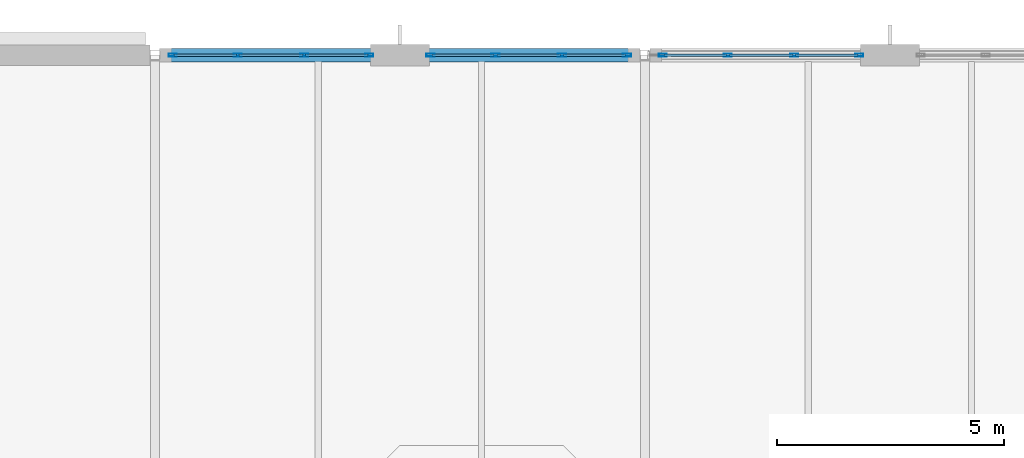
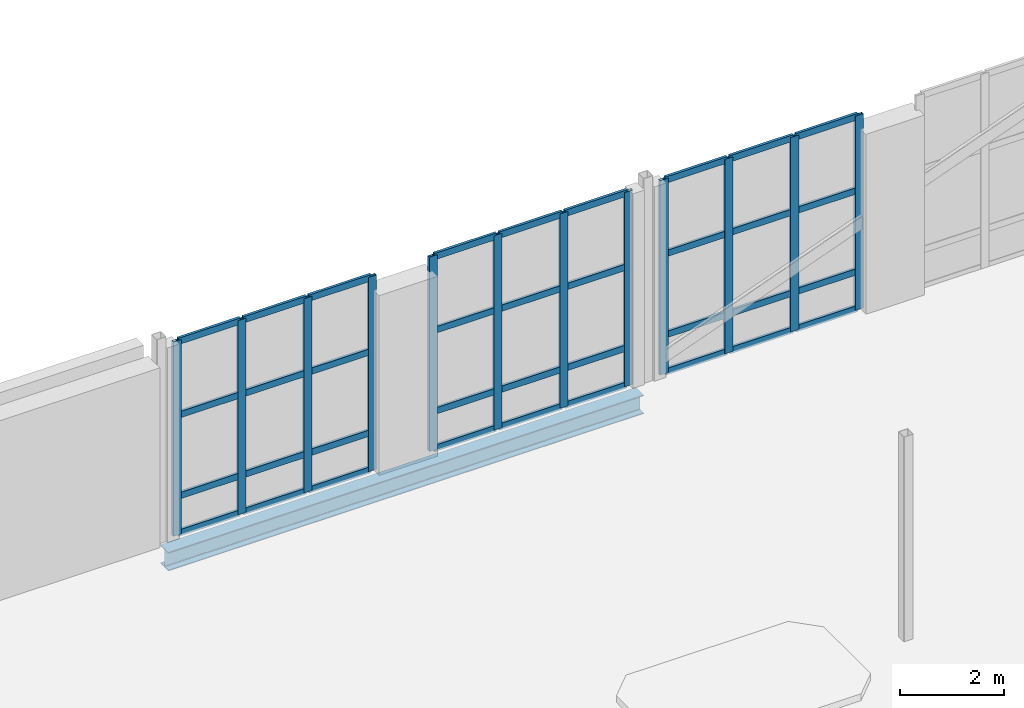
# One storey, part 46 of 86: 48 members, 1 beam, 3 elements without a shape of their own.
"""IFC4 building model written with IfcOpenShell, lengths in metres."""

from ifc_helpers import new_model, si_unit, direction, frame, origin, origin_2d, place, context, subcontext, project, spatial, hollow_rectangle, i_section, extrude, material, layer, layer_set, material_profile, profile_set, type_object, element, aggregate, save


model = new_model("IFC4")

# Units and contexts
model_context = context("Model", 3, precision=1e-05, world=origin(), true_north=direction((0.0, 1.0)))
body_context = subcontext(model_context, "Body", "Model", "MODEL_VIEW")
ifc_project = project(units=[si_unit("LENGTHUNIT", "METRE"), si_unit("AREAUNIT", "SQUARE_METRE"), si_unit("VOLUMEUNIT", "CUBIC_METRE"), si_unit("PLANEANGLEUNIT", "RADIAN"), si_unit("MASSUNIT", "GRAM", prefix="KILO")], contexts=[model_context])

# Site, building, storey
site_placement = place(None, origin())
site = spatial("IfcSite", under=ifc_project, at=site_placement, CompositionType="ELEMENT")
building_placement = place(site_placement, origin())
building = spatial("IfcBuilding", under=site, at=building_placement, Name="Tasgan Crest Museum", CompositionType="ELEMENT")
storey_placement = place(building_placement, frame((0.0, 0.0, 24.0)))
storey = spatial("IfcBuildingStorey", under=building, at=storey_placement, Name="L04", CompositionType="ELEMENT", Elevation=24.0)

# Beam
ifc_material_1 = material(Name="Steel S355J2", Category="steel")
ifc_material_profile_1 = material_profile(ifc_material_1, i_section(OverallWidth=0.300048828125, OverallDepth=0.43994140625, WebThickness=0.011474609375, FlangeThickness=0.02099609375, FilletRadius=0.027099609375, at=origin_2d()), Name="HEA 450")
ifc_profile_set_1 = profile_set([ifc_material_profile_1], Name="Steel S355J2")
beam_type = type_object("IfcBeamType", Name="BM-G-HEA450", PredefinedType="BEAM", material=ifc_profile_set_1)
beam_placement = place(storey_placement, frame((10.926025390625, 112.0, -0.4599609375), z_axis=(1.0, 0.0, 0.0), x_axis=(0.0, 1.0, 0.0)))
element("IfcBeam", 1, at=beam_placement, inside=storey, type_object=beam_type, Name="Girder L04 M 10.8-21.6", PredefinedType="BEAM", context=body_context, shape_type="SweptSolid", body=[
    extrude(i_section(OverallWidth=0.300048828125, OverallDepth=0.43994140625, WebThickness=0.011474609375, FlangeThickness=0.02099609375, FilletRadius=0.027099609375, at=origin_2d()), origin(), (0.0, 0.0, 1.0), 10.548095703125),
])

# Curtain wall, members
ifc_material_2 = material(Name="Triple-Glazed Aluminium Curtain Wall", Category="aluminium")
ifc_layer_1 = layer(ifc_material_2, 0.179931640625, Name="CW-GAL-X-48")
ifc_layer_set_1 = layer_set([ifc_layer_1], Name="Triple-Glazed Aluminium Curtain Wall")
curtain_wall_type_1 = type_object("IfcCurtainWallType", Name="CW-GAL-X-48", PredefinedType="NOTDEFINED", material=ifc_layer_set_1)
curtain_wall_1_placement = place(storey_placement, origin())
curtain_wall_1 = element("IfcCurtainWall", 2, at=curtain_wall_1_placement, inside=storey, type_object=curtain_wall_type_1, Name="Curtain wall L04 168", PredefinedType="NOTDEFINED")
ifc_material_3 = material(Name="Anodised Aluminium", Category="aluminium")
ifc_material_profile_2 = material_profile(ifc_material_3, hollow_rectangle(XDim=0.06494140625, YDim=0.179931640625, WallThickness=0.0048828125, at=origin_2d()), Name="ALU MULLION 180x65x5")
ifc_profile_set_2 = profile_set([ifc_material_profile_2], Name="Anodised Aluminium")
member_type_1 = type_object("IfcMemberType", Name="CW-MULLION-180", PredefinedType="MULLION", material=ifc_profile_set_2)
member_1_placement = place(storey_placement, frame((26.324951171875, 112.0, 0.0), z_axis=(0.0, 0.0, 1.0), x_axis=(0.0, -1.0, 0.0)))
member_1 = element("IfcMember", 3, at=member_1_placement, type_object=member_type_1, Name="CW13 mullion 1", PredefinedType="MULLION", context=body_context, shape_type="SweptSolid", body=[
    extrude(hollow_rectangle(XDim=0.06494140625, YDim=0.179931640625, WallThickness=0.0048828125, at=origin_2d()), origin(), (0.0, 0.0, 1.0), 4.56005859375),
])
member_2_placement = place(storey_placement, frame((24.8916015625, 112.0, 0.0), z_axis=(0.0, 0.0, 1.0), x_axis=(0.0, -1.0, 0.0)))
member_2 = element("IfcMember", 4, at=member_2_placement, type_object=member_type_1, Name="CW13 mullion 2", PredefinedType="MULLION", context=body_context, shape_type="SweptSolid", body=[
    extrude(hollow_rectangle(XDim=0.06494140625, YDim=0.179931640625, WallThickness=0.0048828125, at=origin_2d()), origin(), (0.0, 0.0, 1.0), 4.56005859375),
])
member_3_placement = place(storey_placement, frame((23.42822265625, 112.0, 0.0), z_axis=(0.0, 0.0, 1.0), x_axis=(0.0, -1.0, 0.0)))
member_3 = element("IfcMember", 5, at=member_3_placement, type_object=member_type_1, Name="CW13 mullion 3", PredefinedType="MULLION", context=body_context, shape_type="SweptSolid", body=[
    extrude(hollow_rectangle(XDim=0.06494140625, YDim=0.179931640625, WallThickness=0.0048828125, at=origin_2d()), origin(), (0.0, 0.0, 1.0), 4.56005859375),
])
member_4_placement = place(storey_placement, frame((21.9951171875, 112.0, 0.0), z_axis=(0.0, 0.0, 1.0), x_axis=(0.0, -1.0, 0.0)))
member_4 = element("IfcMember", 6, at=member_4_placement, type_object=member_type_1, Name="CW13 mullion 4", PredefinedType="MULLION", context=body_context, shape_type="SweptSolid", body=[
    extrude(hollow_rectangle(XDim=0.06494140625, YDim=0.179931640625, WallThickness=0.0048828125, at=origin_2d()), origin(), (0.0, 0.0, 1.0), 4.56005859375),
])

ifc_material_4 = material(Name="Triple-Glazed Aluminium Curtain Wall", Category="aluminium")
ifc_layer_2 = layer(ifc_material_4, 0.179931640625, Name="CW-CORE-STRIP-48")
ifc_layer_set_2 = layer_set([ifc_layer_2], Name="Triple-Glazed Aluminium Curtain Wall")
curtain_wall_type_2 = type_object("IfcCurtainWallType", Name="CW-CORE-STRIP-48", PredefinedType="NOTDEFINED", material=ifc_layer_set_2)
curtain_wall_2_placement = place(storey_placement, origin())
curtain_wall_2 = element("IfcCurtainWall", 7, at=curtain_wall_2_placement, inside=storey, type_object=curtain_wall_type_2, Name="Curtain wall L04 169", PredefinedType="NOTDEFINED")
member_5_placement = place(storey_placement, frame((21.205078125, 112.0, 0.0), z_axis=(0.0, 0.0, 1.0), x_axis=(0.0, -1.0, 0.0)))
member_5 = element("IfcMember", 8, at=member_5_placement, type_object=member_type_1, Name="CW19 mullion 1", PredefinedType="MULLION", context=body_context, shape_type="SweptSolid", body=[
    extrude(hollow_rectangle(XDim=0.06494140625, YDim=0.179931640625, WallThickness=0.0048828125, at=origin_2d()), origin(), (0.0, 0.0, 1.0), 4.56005859375),
])
member_6_placement = place(storey_placement, frame((19.771728515625, 112.0, 0.0), z_axis=(0.0, 0.0, 1.0), x_axis=(0.0, -1.0, 0.0)))
member_6 = element("IfcMember", 9, at=member_6_placement, type_object=member_type_1, Name="CW19 mullion 2", PredefinedType="MULLION", context=body_context, shape_type="SweptSolid", body=[
    extrude(hollow_rectangle(XDim=0.06494140625, YDim=0.179931640625, WallThickness=0.0048828125, at=origin_2d()), origin(), (0.0, 0.0, 1.0), 4.56005859375),
])
member_7_placement = place(storey_placement, frame((18.308349609375, 112.0, 0.0), z_axis=(0.0, 0.0, 1.0), x_axis=(0.0, -1.0, 0.0)))
member_7 = element("IfcMember", 10, at=member_7_placement, type_object=member_type_1, Name="CW19 mullion 3", PredefinedType="MULLION", context=body_context, shape_type="SweptSolid", body=[
    extrude(hollow_rectangle(XDim=0.06494140625, YDim=0.179931640625, WallThickness=0.0048828125, at=origin_2d()), origin(), (0.0, 0.0, 1.0), 4.56005859375),
])
member_8_placement = place(storey_placement, frame((16.875, 112.0, 0.0), z_axis=(0.0, 0.0, 1.0), x_axis=(0.0, -1.0, 0.0)))
member_8 = element("IfcMember", 11, at=member_8_placement, type_object=member_type_1, Name="CW19 mullion 4", PredefinedType="MULLION", context=body_context, shape_type="SweptSolid", body=[
    extrude(hollow_rectangle(XDim=0.06494140625, YDim=0.179931640625, WallThickness=0.0048828125, at=origin_2d()), origin(), (0.0, 0.0, 1.0), 4.56005859375),
])

curtain_wall_3_placement = place(storey_placement, origin())
curtain_wall_3 = element("IfcCurtainWall", 12, at=curtain_wall_3_placement, inside=storey, type_object=curtain_wall_type_2, Name="Curtain wall L04 170", PredefinedType="NOTDEFINED")
member_9_placement = place(storey_placement, frame((15.52490234375, 112.0, 0.0), z_axis=(0.0, 0.0, 1.0), x_axis=(0.0, -1.0, 0.0)))
member_9 = element("IfcMember", 13, at=member_9_placement, type_object=member_type_1, Name="CW19 mullion 1", PredefinedType="MULLION", context=body_context, shape_type="SweptSolid", body=[
    extrude(hollow_rectangle(XDim=0.06494140625, YDim=0.179931640625, WallThickness=0.0048828125, at=origin_2d()), origin(), (0.0, 0.0, 1.0), 4.56005859375),
])
member_10_placement = place(storey_placement, frame((14.091552734375, 112.0, 0.0), z_axis=(0.0, 0.0, 1.0), x_axis=(0.0, -1.0, 0.0)))
member_10 = element("IfcMember", 14, at=member_10_placement, type_object=member_type_1, Name="CW19 mullion 2", PredefinedType="MULLION", context=body_context, shape_type="SweptSolid", body=[
    extrude(hollow_rectangle(XDim=0.06494140625, YDim=0.179931640625, WallThickness=0.0048828125, at=origin_2d()), origin(), (0.0, 0.0, 1.0), 4.56005859375),
])
member_11_placement = place(storey_placement, frame((12.62841796875, 112.0, 0.0), z_axis=(0.0, 0.0, 1.0), x_axis=(0.0, -1.0, 0.0)))
member_11 = element("IfcMember", 15, at=member_11_placement, type_object=member_type_1, Name="CW19 mullion 3", PredefinedType="MULLION", context=body_context, shape_type="SweptSolid", body=[
    extrude(hollow_rectangle(XDim=0.06494140625, YDim=0.179931640625, WallThickness=0.0048828125, at=origin_2d()), origin(), (0.0, 0.0, 1.0), 4.56005859375),
])
member_12_placement = place(storey_placement, frame((11.195068359375, 112.0, 0.0), z_axis=(0.0, 0.0, 1.0), x_axis=(0.0, -1.0, 0.0)))
member_12 = element("IfcMember", 16, at=member_12_placement, type_object=member_type_1, Name="CW19 mullion 4", PredefinedType="MULLION", context=body_context, shape_type="SweptSolid", body=[
    extrude(hollow_rectangle(XDim=0.06494140625, YDim=0.179931640625, WallThickness=0.0048828125, at=origin_2d()), origin(), (0.0, 0.0, 1.0), 4.56005859375),
])

# Member
ifc_material_5 = material(Name="Anodised Aluminium", Category="aluminium")
ifc_material_profile_3 = material_profile(ifc_material_5, hollow_rectangle(XDim=0.06005859375, YDim=0.14990234375, WallThickness=0.0048828125, at=origin_2d()), Name="ALU TRANSOM 150x60x5")
ifc_profile_set_3 = profile_set([ifc_material_profile_3], Name="Anodised Aluminium")
member_type_2 = type_object("IfcMemberType", Name="CW-TRANSOM-150", PredefinedType="USERDEFINED", material=ifc_profile_set_3)
member_13_placement = place(storey_placement, frame((26.294921875, 112.0, 0.030029296875), z_axis=(-1.0, 0.0, 0.0), x_axis=(0.0, -1.0, 0.0)))
member_13 = element("IfcMember", 17, at=member_13_placement, type_object=member_type_2, Name="CW13 transom 1.1", ObjectType="TRANSOM", PredefinedType="USERDEFINED", context=body_context, shape_type="SweptSolid", body=[
    extrude(hollow_rectangle(XDim=0.06005859375, YDim=0.14990234375, WallThickness=0.0048828125, at=origin_2d()), origin(), (0.0, 0.0, 1.0), 1.373291015625),
])

member_14_placement = place(storey_placement, frame((26.294921875, 112.0, 0.89990234375), z_axis=(-1.0, 0.0, 0.0), x_axis=(0.0, -1.0, 0.0)))
member_14 = element("IfcMember", 18, at=member_14_placement, type_object=member_type_2, Name="CW13 transom 1.2", ObjectType="TRANSOM", PredefinedType="USERDEFINED", context=body_context, shape_type="SweptSolid", body=[
    extrude(hollow_rectangle(XDim=0.06005859375, YDim=0.14990234375, WallThickness=0.0048828125, at=origin_2d()), origin(), (0.0, 0.0, 1.0), 1.373291015625),
])

member_15_placement = place(storey_placement, frame((26.294921875, 112.0, 2.800048828125), z_axis=(-1.0, 0.0, 0.0), x_axis=(0.0, -1.0, 0.0)))
member_15 = element("IfcMember", 19, at=member_15_placement, type_object=member_type_2, Name="CW13 transom 1.3", ObjectType="TRANSOM", PredefinedType="USERDEFINED", context=body_context, shape_type="SweptSolid", body=[
    extrude(hollow_rectangle(XDim=0.06005859375, YDim=0.14990234375, WallThickness=0.0048828125, at=origin_2d()), origin(), (0.0, 0.0, 1.0), 1.373291015625),
])

member_16_placement = place(storey_placement, frame((26.294921875, 112.0, 4.530029296875), z_axis=(-1.0, 0.0, 0.0), x_axis=(0.0, -1.0, 0.0)))
member_16 = element("IfcMember", 20, at=member_16_placement, type_object=member_type_2, Name="CW13 transom 1.4", ObjectType="TRANSOM", PredefinedType="USERDEFINED", context=body_context, shape_type="SweptSolid", body=[
    extrude(hollow_rectangle(XDim=0.06005859375, YDim=0.14990234375, WallThickness=0.0048828125, at=origin_2d()), origin(), (0.0, 0.0, 1.0), 1.373291015625),
])

member_17_placement = place(storey_placement, frame((24.861572265625, 112.0, 0.030029296875), z_axis=(-1.0, 0.0, 0.0), x_axis=(0.0, -1.0, 0.0)))
member_17 = element("IfcMember", 21, at=member_17_placement, type_object=member_type_2, Name="CW13 transom 2.1", ObjectType="TRANSOM", PredefinedType="USERDEFINED", context=body_context, shape_type="SweptSolid", body=[
    extrude(hollow_rectangle(XDim=0.06005859375, YDim=0.14990234375, WallThickness=0.0048828125, at=origin_2d()), origin(), (0.0, 0.0, 1.0), 1.4033203125),
])

member_18_placement = place(storey_placement, frame((24.861572265625, 112.0, 0.89990234375), z_axis=(-1.0, 0.0, 0.0), x_axis=(0.0, -1.0, 0.0)))
member_18 = element("IfcMember", 22, at=member_18_placement, type_object=member_type_2, Name="CW13 transom 2.2", ObjectType="TRANSOM", PredefinedType="USERDEFINED", context=body_context, shape_type="SweptSolid", body=[
    extrude(hollow_rectangle(XDim=0.06005859375, YDim=0.14990234375, WallThickness=0.0048828125, at=origin_2d()), origin(), (0.0, 0.0, 1.0), 1.4033203125),
])

member_19_placement = place(storey_placement, frame((24.861572265625, 112.0, 2.800048828125), z_axis=(-1.0, 0.0, 0.0), x_axis=(0.0, -1.0, 0.0)))
member_19 = element("IfcMember", 23, at=member_19_placement, type_object=member_type_2, Name="CW13 transom 2.3", ObjectType="TRANSOM", PredefinedType="USERDEFINED", context=body_context, shape_type="SweptSolid", body=[
    extrude(hollow_rectangle(XDim=0.06005859375, YDim=0.14990234375, WallThickness=0.0048828125, at=origin_2d()), origin(), (0.0, 0.0, 1.0), 1.4033203125),
])

member_20_placement = place(storey_placement, frame((24.861572265625, 112.0, 4.530029296875), z_axis=(-1.0, 0.0, 0.0), x_axis=(0.0, -1.0, 0.0)))
member_20 = element("IfcMember", 24, at=member_20_placement, type_object=member_type_2, Name="CW13 transom 2.4", ObjectType="TRANSOM", PredefinedType="USERDEFINED", context=body_context, shape_type="SweptSolid", body=[
    extrude(hollow_rectangle(XDim=0.06005859375, YDim=0.14990234375, WallThickness=0.0048828125, at=origin_2d()), origin(), (0.0, 0.0, 1.0), 1.4033203125),
])

member_21_placement = place(storey_placement, frame((23.3984375, 112.0, 0.030029296875), z_axis=(-1.0, 0.0, 0.0), x_axis=(0.0, -1.0, 0.0)))
member_21 = element("IfcMember", 25, at=member_21_placement, type_object=member_type_2, Name="CW13 transom 3.1", ObjectType="TRANSOM", PredefinedType="USERDEFINED", context=body_context, shape_type="SweptSolid", body=[
    extrude(hollow_rectangle(XDim=0.06005859375, YDim=0.14990234375, WallThickness=0.0048828125, at=origin_2d()), origin(), (0.0, 0.0, 1.0), 1.37353515625),
])

member_22_placement = place(storey_placement, frame((23.3984375, 112.0, 0.89990234375), z_axis=(-1.0, 0.0, 0.0), x_axis=(0.0, -1.0, 0.0)))
member_22 = element("IfcMember", 26, at=member_22_placement, type_object=member_type_2, Name="CW13 transom 3.2", ObjectType="TRANSOM", PredefinedType="USERDEFINED", context=body_context, shape_type="SweptSolid", body=[
    extrude(hollow_rectangle(XDim=0.06005859375, YDim=0.14990234375, WallThickness=0.0048828125, at=origin_2d()), origin(), (0.0, 0.0, 1.0), 1.37353515625),
])

member_23_placement = place(storey_placement, frame((23.3984375, 112.0, 2.800048828125), z_axis=(-1.0, 0.0, 0.0), x_axis=(0.0, -1.0, 0.0)))
member_23 = element("IfcMember", 27, at=member_23_placement, type_object=member_type_2, Name="CW13 transom 3.3", ObjectType="TRANSOM", PredefinedType="USERDEFINED", context=body_context, shape_type="SweptSolid", body=[
    extrude(hollow_rectangle(XDim=0.06005859375, YDim=0.14990234375, WallThickness=0.0048828125, at=origin_2d()), origin(), (0.0, 0.0, 1.0), 1.37353515625),
])

member_24_placement = place(storey_placement, frame((23.3984375, 112.0, 4.530029296875), z_axis=(-1.0, 0.0, 0.0), x_axis=(0.0, -1.0, 0.0)))
member_24 = element("IfcMember", 28, at=member_24_placement, type_object=member_type_2, Name="CW13 transom 3.4", ObjectType="TRANSOM", PredefinedType="USERDEFINED", context=body_context, shape_type="SweptSolid", body=[
    extrude(hollow_rectangle(XDim=0.06005859375, YDim=0.14990234375, WallThickness=0.0048828125, at=origin_2d()), origin(), (0.0, 0.0, 1.0), 1.37353515625),
])

aggregate(curtain_wall_1, [member_1, member_2, member_3, member_4, member_13, member_14, member_15, member_16, member_17, member_18, member_19, member_20, member_21, member_22, member_23, member_24])

member_25_placement = place(storey_placement, frame((21.175048828125, 112.0, 0.030029296875), z_axis=(-1.0, 0.0, 0.0), x_axis=(0.0, -1.0, 0.0)))
member_25 = element("IfcMember", 29, at=member_25_placement, type_object=member_type_2, Name="CW19 transom 1.1", ObjectType="TRANSOM", PredefinedType="USERDEFINED", context=body_context, shape_type="SweptSolid", body=[
    extrude(hollow_rectangle(XDim=0.06005859375, YDim=0.14990234375, WallThickness=0.0048828125, at=origin_2d()), origin(), (0.0, 0.0, 1.0), 1.373291015625),
])

member_26_placement = place(storey_placement, frame((21.175048828125, 112.0, 0.89990234375), z_axis=(-1.0, 0.0, 0.0), x_axis=(0.0, -1.0, 0.0)))
member_26 = element("IfcMember", 30, at=member_26_placement, type_object=member_type_2, Name="CW19 transom 1.2", ObjectType="TRANSOM", PredefinedType="USERDEFINED", context=body_context, shape_type="SweptSolid", body=[
    extrude(hollow_rectangle(XDim=0.06005859375, YDim=0.14990234375, WallThickness=0.0048828125, at=origin_2d()), origin(), (0.0, 0.0, 1.0), 1.373291015625),
])

member_27_placement = place(storey_placement, frame((21.175048828125, 112.0, 2.800048828125), z_axis=(-1.0, 0.0, 0.0), x_axis=(0.0, -1.0, 0.0)))
member_27 = element("IfcMember", 31, at=member_27_placement, type_object=member_type_2, Name="CW19 transom 1.3", ObjectType="TRANSOM", PredefinedType="USERDEFINED", context=body_context, shape_type="SweptSolid", body=[
    extrude(hollow_rectangle(XDim=0.06005859375, YDim=0.14990234375, WallThickness=0.0048828125, at=origin_2d()), origin(), (0.0, 0.0, 1.0), 1.373291015625),
])

member_28_placement = place(storey_placement, frame((21.175048828125, 112.0, 4.530029296875), z_axis=(-1.0, 0.0, 0.0), x_axis=(0.0, -1.0, 0.0)))
member_28 = element("IfcMember", 32, at=member_28_placement, type_object=member_type_2, Name="CW19 transom 1.4", ObjectType="TRANSOM", PredefinedType="USERDEFINED", context=body_context, shape_type="SweptSolid", body=[
    extrude(hollow_rectangle(XDim=0.06005859375, YDim=0.14990234375, WallThickness=0.0048828125, at=origin_2d()), origin(), (0.0, 0.0, 1.0), 1.373291015625),
])

member_29_placement = place(storey_placement, frame((19.74169921875, 112.0, 0.030029296875), z_axis=(-1.0, 0.0, 0.0), x_axis=(0.0, -1.0, 0.0)))
member_29 = element("IfcMember", 33, at=member_29_placement, type_object=member_type_2, Name="CW19 transom 2.1", ObjectType="TRANSOM", PredefinedType="USERDEFINED", context=body_context, shape_type="SweptSolid", body=[
    extrude(hollow_rectangle(XDim=0.06005859375, YDim=0.14990234375, WallThickness=0.0048828125, at=origin_2d()), origin(), (0.0, 0.0, 1.0), 1.4033203125),
])

member_30_placement = place(storey_placement, frame((19.74169921875, 112.0, 0.89990234375), z_axis=(-1.0, 0.0, 0.0), x_axis=(0.0, -1.0, 0.0)))
member_30 = element("IfcMember", 34, at=member_30_placement, type_object=member_type_2, Name="CW19 transom 2.2", ObjectType="TRANSOM", PredefinedType="USERDEFINED", context=body_context, shape_type="SweptSolid", body=[
    extrude(hollow_rectangle(XDim=0.06005859375, YDim=0.14990234375, WallThickness=0.0048828125, at=origin_2d()), origin(), (0.0, 0.0, 1.0), 1.4033203125),
])

member_31_placement = place(storey_placement, frame((19.74169921875, 112.0, 2.800048828125), z_axis=(-1.0, 0.0, 0.0), x_axis=(0.0, -1.0, 0.0)))
member_31 = element("IfcMember", 35, at=member_31_placement, type_object=member_type_2, Name="CW19 transom 2.3", ObjectType="TRANSOM", PredefinedType="USERDEFINED", context=body_context, shape_type="SweptSolid", body=[
    extrude(hollow_rectangle(XDim=0.06005859375, YDim=0.14990234375, WallThickness=0.0048828125, at=origin_2d()), origin(), (0.0, 0.0, 1.0), 1.4033203125),
])

member_32_placement = place(storey_placement, frame((19.74169921875, 112.0, 4.530029296875), z_axis=(-1.0, 0.0, 0.0), x_axis=(0.0, -1.0, 0.0)))
member_32 = element("IfcMember", 36, at=member_32_placement, type_object=member_type_2, Name="CW19 transom 2.4", ObjectType="TRANSOM", PredefinedType="USERDEFINED", context=body_context, shape_type="SweptSolid", body=[
    extrude(hollow_rectangle(XDim=0.06005859375, YDim=0.14990234375, WallThickness=0.0048828125, at=origin_2d()), origin(), (0.0, 0.0, 1.0), 1.4033203125),
])

member_33_placement = place(storey_placement, frame((18.2783203125, 112.0, 0.030029296875), z_axis=(-1.0, 0.0, 0.0), x_axis=(0.0, -1.0, 0.0)))
member_33 = element("IfcMember", 37, at=member_33_placement, type_object=member_type_2, Name="CW19 transom 3.1", ObjectType="TRANSOM", PredefinedType="USERDEFINED", context=body_context, shape_type="SweptSolid", body=[
    extrude(hollow_rectangle(XDim=0.06005859375, YDim=0.14990234375, WallThickness=0.0048828125, at=origin_2d()), origin(), (0.0, 0.0, 1.0), 1.373291015625),
])

member_34_placement = place(storey_placement, frame((18.2783203125, 112.0, 0.89990234375), z_axis=(-1.0, 0.0, 0.0), x_axis=(0.0, -1.0, 0.0)))
member_34 = element("IfcMember", 38, at=member_34_placement, type_object=member_type_2, Name="CW19 transom 3.2", ObjectType="TRANSOM", PredefinedType="USERDEFINED", context=body_context, shape_type="SweptSolid", body=[
    extrude(hollow_rectangle(XDim=0.06005859375, YDim=0.14990234375, WallThickness=0.0048828125, at=origin_2d()), origin(), (0.0, 0.0, 1.0), 1.373291015625),
])

member_35_placement = place(storey_placement, frame((18.2783203125, 112.0, 2.800048828125), z_axis=(-1.0, 0.0, 0.0), x_axis=(0.0, -1.0, 0.0)))
member_35 = element("IfcMember", 39, at=member_35_placement, type_object=member_type_2, Name="CW19 transom 3.3", ObjectType="TRANSOM", PredefinedType="USERDEFINED", context=body_context, shape_type="SweptSolid", body=[
    extrude(hollow_rectangle(XDim=0.06005859375, YDim=0.14990234375, WallThickness=0.0048828125, at=origin_2d()), origin(), (0.0, 0.0, 1.0), 1.373291015625),
])

member_36_placement = place(storey_placement, frame((18.2783203125, 112.0, 4.530029296875), z_axis=(-1.0, 0.0, 0.0), x_axis=(0.0, -1.0, 0.0)))
member_36 = element("IfcMember", 40, at=member_36_placement, type_object=member_type_2, Name="CW19 transom 3.4", ObjectType="TRANSOM", PredefinedType="USERDEFINED", context=body_context, shape_type="SweptSolid", body=[
    extrude(hollow_rectangle(XDim=0.06005859375, YDim=0.14990234375, WallThickness=0.0048828125, at=origin_2d()), origin(), (0.0, 0.0, 1.0), 1.373291015625),
])

aggregate(curtain_wall_2, [member_5, member_6, member_7, member_8, member_25, member_26, member_27, member_28, member_29, member_30, member_31, member_32, member_33, member_34, member_35, member_36])

member_37_placement = place(storey_placement, frame((15.4951171875, 112.0, 0.030029296875), z_axis=(-1.0, 0.0, 0.0), x_axis=(0.0, -1.0, 0.0)))
member_37 = element("IfcMember", 41, at=member_37_placement, type_object=member_type_2, Name="CW19 transom 1.1", ObjectType="TRANSOM", PredefinedType="USERDEFINED", context=body_context, shape_type="SweptSolid", body=[
    extrude(hollow_rectangle(XDim=0.06005859375, YDim=0.14990234375, WallThickness=0.0048828125, at=origin_2d()), origin(), (0.0, 0.0, 1.0), 1.37353515625),
])

member_38_placement = place(storey_placement, frame((15.4951171875, 112.0, 0.89990234375), z_axis=(-1.0, 0.0, 0.0), x_axis=(0.0, -1.0, 0.0)))
member_38 = element("IfcMember", 42, at=member_38_placement, type_object=member_type_2, Name="CW19 transom 1.2", ObjectType="TRANSOM", PredefinedType="USERDEFINED", context=body_context, shape_type="SweptSolid", body=[
    extrude(hollow_rectangle(XDim=0.06005859375, YDim=0.14990234375, WallThickness=0.0048828125, at=origin_2d()), origin(), (0.0, 0.0, 1.0), 1.37353515625),
])

member_39_placement = place(storey_placement, frame((15.4951171875, 112.0, 2.800048828125), z_axis=(-1.0, 0.0, 0.0), x_axis=(0.0, -1.0, 0.0)))
member_39 = element("IfcMember", 43, at=member_39_placement, type_object=member_type_2, Name="CW19 transom 1.3", ObjectType="TRANSOM", PredefinedType="USERDEFINED", context=body_context, shape_type="SweptSolid", body=[
    extrude(hollow_rectangle(XDim=0.06005859375, YDim=0.14990234375, WallThickness=0.0048828125, at=origin_2d()), origin(), (0.0, 0.0, 1.0), 1.37353515625),
])

member_40_placement = place(storey_placement, frame((15.4951171875, 112.0, 4.530029296875), z_axis=(-1.0, 0.0, 0.0), x_axis=(0.0, -1.0, 0.0)))
member_40 = element("IfcMember", 44, at=member_40_placement, type_object=member_type_2, Name="CW19 transom 1.4", ObjectType="TRANSOM", PredefinedType="USERDEFINED", context=body_context, shape_type="SweptSolid", body=[
    extrude(hollow_rectangle(XDim=0.06005859375, YDim=0.14990234375, WallThickness=0.0048828125, at=origin_2d()), origin(), (0.0, 0.0, 1.0), 1.37353515625),
])

member_41_placement = place(storey_placement, frame((14.061767578125, 112.0, 0.030029296875), z_axis=(-1.0, 0.0, 0.0), x_axis=(0.0, -1.0, 0.0)))
member_41 = element("IfcMember", 45, at=member_41_placement, type_object=member_type_2, Name="CW19 transom 2.1", ObjectType="TRANSOM", PredefinedType="USERDEFINED", context=body_context, shape_type="SweptSolid", body=[
    extrude(hollow_rectangle(XDim=0.06005859375, YDim=0.14990234375, WallThickness=0.0048828125, at=origin_2d()), origin(), (0.0, 0.0, 1.0), 1.4033203125),
])

member_42_placement = place(storey_placement, frame((14.061767578125, 112.0, 0.89990234375), z_axis=(-1.0, 0.0, 0.0), x_axis=(0.0, -1.0, 0.0)))
member_42 = element("IfcMember", 46, at=member_42_placement, type_object=member_type_2, Name="CW19 transom 2.2", ObjectType="TRANSOM", PredefinedType="USERDEFINED", context=body_context, shape_type="SweptSolid", body=[
    extrude(hollow_rectangle(XDim=0.06005859375, YDim=0.14990234375, WallThickness=0.0048828125, at=origin_2d()), origin(), (0.0, 0.0, 1.0), 1.4033203125),
])

member_43_placement = place(storey_placement, frame((14.061767578125, 112.0, 2.800048828125), z_axis=(-1.0, 0.0, 0.0), x_axis=(0.0, -1.0, 0.0)))
member_43 = element("IfcMember", 47, at=member_43_placement, type_object=member_type_2, Name="CW19 transom 2.3", ObjectType="TRANSOM", PredefinedType="USERDEFINED", context=body_context, shape_type="SweptSolid", body=[
    extrude(hollow_rectangle(XDim=0.06005859375, YDim=0.14990234375, WallThickness=0.0048828125, at=origin_2d()), origin(), (0.0, 0.0, 1.0), 1.4033203125),
])

member_44_placement = place(storey_placement, frame((14.061767578125, 112.0, 4.530029296875), z_axis=(-1.0, 0.0, 0.0), x_axis=(0.0, -1.0, 0.0)))
member_44 = element("IfcMember", 48, at=member_44_placement, type_object=member_type_2, Name="CW19 transom 2.4", ObjectType="TRANSOM", PredefinedType="USERDEFINED", context=body_context, shape_type="SweptSolid", body=[
    extrude(hollow_rectangle(XDim=0.06005859375, YDim=0.14990234375, WallThickness=0.0048828125, at=origin_2d()), origin(), (0.0, 0.0, 1.0), 1.4033203125),
])

member_45_placement = place(storey_placement, frame((12.598388671875, 112.0, 0.030029296875), z_axis=(-1.0, 0.0, 0.0), x_axis=(0.0, -1.0, 0.0)))
member_45 = element("IfcMember", 49, at=member_45_placement, type_object=member_type_2, Name="CW19 transom 3.1", ObjectType="TRANSOM", PredefinedType="USERDEFINED", context=body_context, shape_type="SweptSolid", body=[
    extrude(hollow_rectangle(XDim=0.06005859375, YDim=0.14990234375, WallThickness=0.0048828125, at=origin_2d()), origin(), (0.0, 0.0, 1.0), 1.373291015625),
])

member_46_placement = place(storey_placement, frame((12.598388671875, 112.0, 0.89990234375), z_axis=(-1.0, 0.0, 0.0), x_axis=(0.0, -1.0, 0.0)))
member_46 = element("IfcMember", 50, at=member_46_placement, type_object=member_type_2, Name="CW19 transom 3.2", ObjectType="TRANSOM", PredefinedType="USERDEFINED", context=body_context, shape_type="SweptSolid", body=[
    extrude(hollow_rectangle(XDim=0.06005859375, YDim=0.14990234375, WallThickness=0.0048828125, at=origin_2d()), origin(), (0.0, 0.0, 1.0), 1.373291015625),
])

member_47_placement = place(storey_placement, frame((12.598388671875, 112.0, 2.800048828125), z_axis=(-1.0, 0.0, 0.0), x_axis=(0.0, -1.0, 0.0)))
member_47 = element("IfcMember", 51, at=member_47_placement, type_object=member_type_2, Name="CW19 transom 3.3", ObjectType="TRANSOM", PredefinedType="USERDEFINED", context=body_context, shape_type="SweptSolid", body=[
    extrude(hollow_rectangle(XDim=0.06005859375, YDim=0.14990234375, WallThickness=0.0048828125, at=origin_2d()), origin(), (0.0, 0.0, 1.0), 1.373291015625),
])

member_48_placement = place(storey_placement, frame((12.598388671875, 112.0, 4.530029296875), z_axis=(-1.0, 0.0, 0.0), x_axis=(0.0, -1.0, 0.0)))
member_48 = element("IfcMember", 52, at=member_48_placement, type_object=member_type_2, Name="CW19 transom 3.4", ObjectType="TRANSOM", PredefinedType="USERDEFINED", context=body_context, shape_type="SweptSolid", body=[
    extrude(hollow_rectangle(XDim=0.06005859375, YDim=0.14990234375, WallThickness=0.0048828125, at=origin_2d()), origin(), (0.0, 0.0, 1.0), 1.373291015625),
])

aggregate(curtain_wall_3, [member_9, member_10, member_11, member_12, member_37, member_38, member_39, member_40, member_41, member_42, member_43, member_44, member_45, member_46, member_47, member_48])

save(model, "model.ifc")
